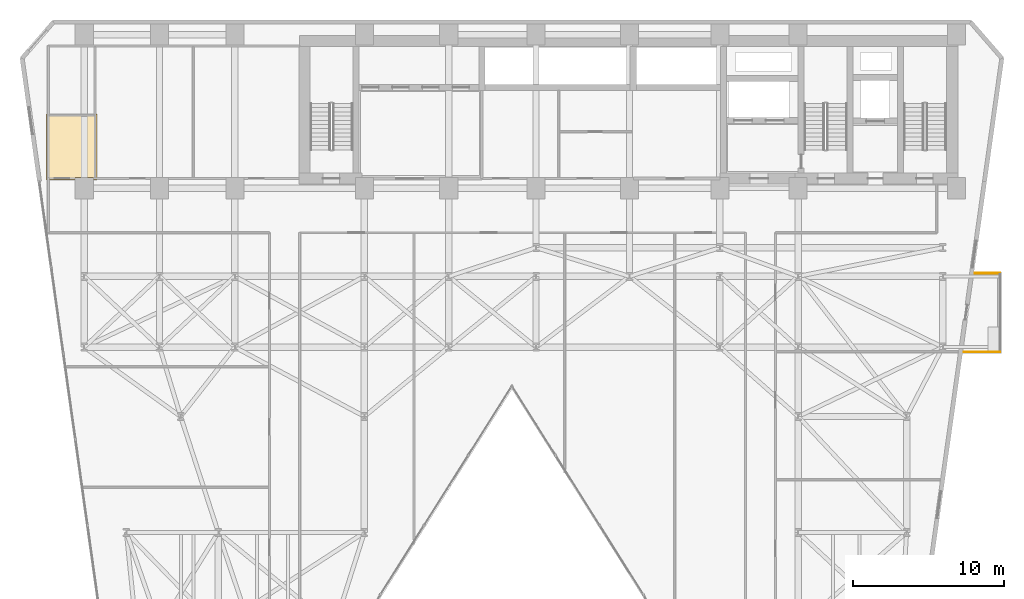
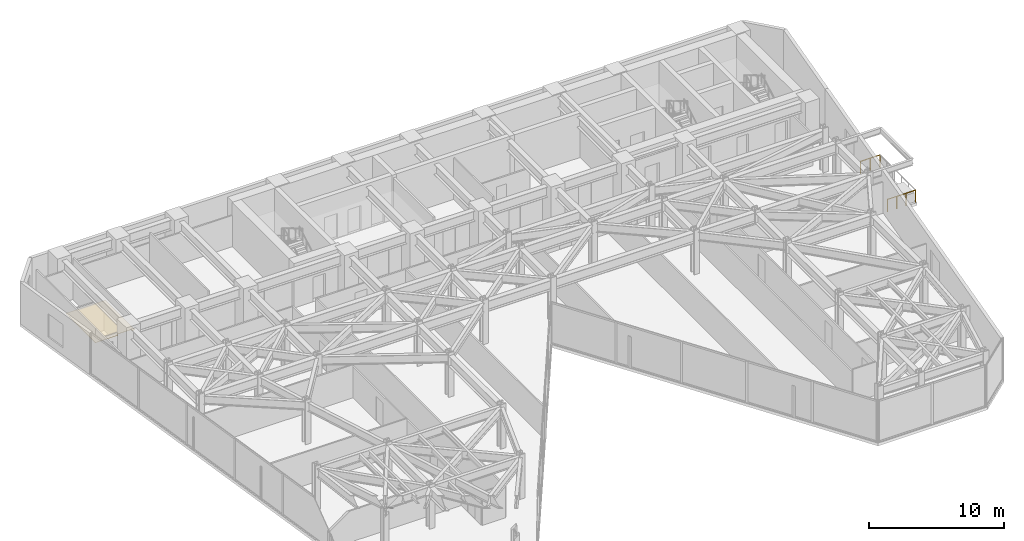
# One storey, part 22 of 24: 2 railings, 1 covering.
"""IFC4 building model written with IfcOpenShell, lengths in metres."""

from ifc_helpers import new_model, si_unit, direction, frame, origin, origin_2d, place, context, subcontext, project, spatial, polyline, circle, outline, extrude, material, layer, layer_set, type_object, element, save


model = new_model("IFC4")

# Units and contexts
model_context = context("Model", 3, precision=1e-05, world=origin(), true_north=direction((0.0, 1.0)))
body_context = subcontext(model_context, "Body", "Model", "MODEL_VIEW")
ifc_project = project(units=[si_unit("LENGTHUNIT", "METRE"), si_unit("AREAUNIT", "SQUARE_METRE"), si_unit("VOLUMEUNIT", "CUBIC_METRE"), si_unit("PLANEANGLEUNIT", "RADIAN"), si_unit("MASSUNIT", "GRAM", prefix="KILO")], contexts=[model_context])

# Site, building, storey
site_placement = place(None, origin())
site = spatial("IfcSite", under=ifc_project, at=site_placement, CompositionType="ELEMENT")
building_placement = place(site_placement, origin())
building = spatial("IfcBuilding", under=site, at=building_placement, Name="Kravanh Interchange Tower", CompositionType="ELEMENT")
storey_placement = place(building_placement, frame((0.0, 0.0, 53.5)))
storey = spatial("IfcBuildingStorey", under=building, at=storey_placement, Name="L12", CompositionType="ELEMENT", Elevation=53.5)

# Covering
ifc_material_1 = material(Name="Acoustic Mineral Fibre Tile on Aluminium Grid", Category="aluminium")
ifc_layer_1 = layer(ifc_material_1, 0.02490234375)
ifc_layer_set_1 = layer_set([ifc_layer_1], Name="Perforated Acoustic Mineral Ceiling 25mm")
covering_type = type_object("IfcCoveringType", Name="Perforated Acoustic Mineral Ceiling 25mm", PredefinedType="CEILING", material=ifc_layer_set_1)
covering_placement = place(storey_placement, frame((0.0, 0.0, 2.550048828125)))
element("IfcCovering", 1, at=covering_placement, inside=storey, type_object=covering_type, Name="L12 Accessible WC Suspended Ceiling", PredefinedType="CEILING", context=body_context, shape_type="SweptSolid", body=[
    extrude(outline(polyline([(9.4599609375, 42.280029296875), (9.4599609375, 37.909912109375), (9.199951171875, 37.909912109375), (9.199951171875, 38.050048828125), (8.0, 38.050048828125), (8.0, 37.909912109375), (6.080078125, 37.909912109375), (6.080078125, 42.280029296875), (9.4599609375, 42.280029296875)])), origin(), (0.0, 0.0, 1.0), 0.02490234375),
])

# Railings
ifc_material_2 = material(Name="Stainless Steel 316", Category="steel")
ifc_layer_2 = layer(ifc_material_2, 0.06005859375)
ifc_layer_set_2 = layer_set([ifc_layer_2], Name="Perimeter Balcony and Terrace Guardrail Stainless 316 1120mm")
railing_type = type_object("IfcRailingType", Name="Perimeter Balcony and Terrace Guardrail Stainless 316 1120mm", PredefinedType="GUARDRAIL", material=ifc_layer_set_2)
railing_1_placement = place(storey_placement, frame((69.409912109375, 26.469970703125, 0.0)))
element("IfcRailing", 2, at=railing_1_placement, inside=storey, type_object=railing_type, Name="L12 E Balcony Guardrail 2", PredefinedType="GUARDRAIL", context=body_context, shape_type="SweptSolid", body=[
    extrude(circle(Radius=0.02392578125, at=origin_2d()), frame((0.0, 0.0, 1.09619140625), z_axis=(-1.0, 0.0, 0.0), x_axis=(0.0, -1.0, 0.0)), (0.0, 0.0, 1.0), 2.41015625),
    extrude(circle(Radius=0.02099609375, at=origin_2d()), origin(), (0.0, 0.0, 1.0), 1.072021484375),
    extrude(circle(Radius=0.02099609375, at=origin_2d()), frame((-0.803466796875, 0.0, 0.0)), (0.0, 0.0, 1.0), 1.072021484375),
    extrude(circle(Radius=0.02099609375, at=origin_2d()), frame((-1.606689453125, 0.0, 0.0)), (0.0, 0.0, 1.0), 1.072021484375),
    extrude(circle(Radius=0.02099609375, at=origin_2d()), frame((-2.41015625, 0.0, 0.0)), (0.0, 0.0, 1.0), 1.072021484375),
])
railing_2_placement = place(storey_placement, frame((67.736083984375, 31.7099609375, 0.0)))
element("IfcRailing", 3, at=railing_2_placement, inside=storey, type_object=railing_type, Name="L12 E Balcony Guardrail 3", PredefinedType="GUARDRAIL", context=body_context, shape_type="SweptSolid", body=[
    extrude(circle(Radius=0.02392578125, at=origin_2d()), frame((0.0, 0.0, 1.09619140625), z_axis=(1.0, 0.0, 0.0), x_axis=(0.0, 1.0, 0.0)), (0.0, 0.0, 1.0), 1.673828125),
    extrude(circle(Radius=0.02099609375, at=origin_2d()), origin(), (0.0, 0.0, 1.0), 1.072021484375),
    extrude(circle(Radius=0.02099609375, at=origin_2d()), frame((0.8369140625, 0.0, 0.0)), (0.0, 0.0, 1.0), 1.072021484375),
    extrude(circle(Radius=0.02099609375, at=origin_2d()), frame((1.673828125, 0.0, 0.0)), (0.0, 0.0, 1.0), 1.072021484375),
])

save(model, "model.ifc")
